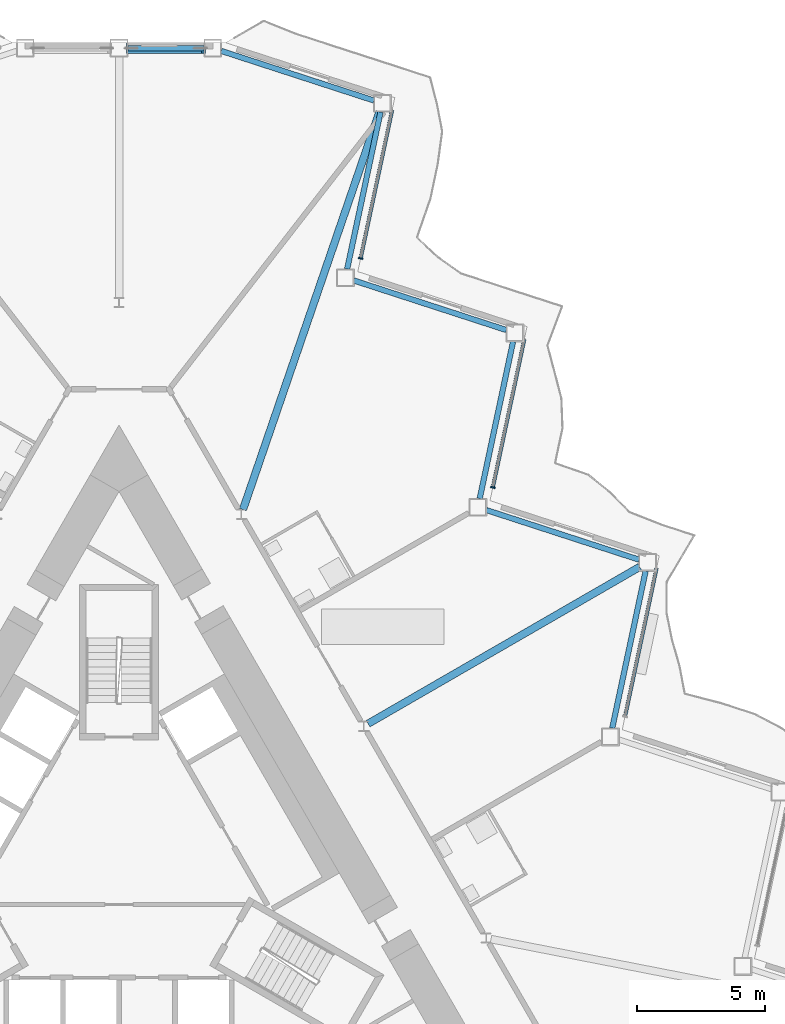
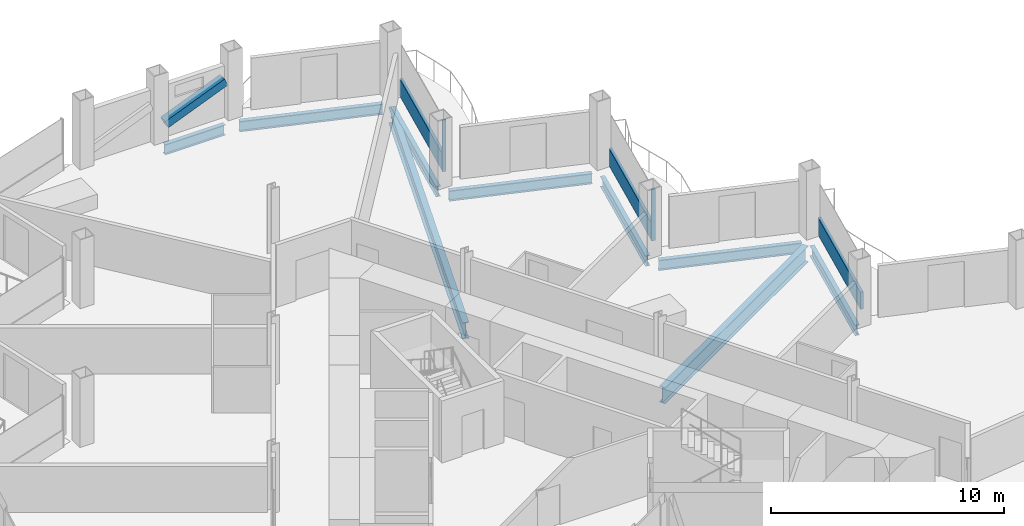
# One storey, part 9 of 23: 9 beams, 6 members, 3 elements without a shape of their own.
"""IFC4 building model written with IfcOpenShell, lengths in metres."""

from ifc_helpers import new_model, si_unit, direction, frame, origin, origin_2d, place, context, subcontext, project, spatial, rectangle, hollow_rectangle, i_section, extrude, material, layer, layer_set, material_profile, profile_set, type_object, element, aggregate, save


model = new_model("IFC4")

# Units and contexts
model_context = context("Model", 3, precision=1e-05, world=origin(), true_north=direction((0.0, 1.0)))
body_context = subcontext(model_context, "Body", "Model", "MODEL_VIEW")
ifc_project = project(units=[si_unit("LENGTHUNIT", "METRE"), si_unit("AREAUNIT", "SQUARE_METRE"), si_unit("VOLUMEUNIT", "CUBIC_METRE"), si_unit("PLANEANGLEUNIT", "RADIAN"), si_unit("MASSUNIT", "GRAM", prefix="KILO")], contexts=[model_context])

# Site, building, storey
site_placement = place(None, origin())
site = spatial("IfcSite", under=ifc_project, at=site_placement, CompositionType="ELEMENT")
building_placement = place(site_placement, origin())
building = spatial("IfcBuilding", under=site, at=building_placement, Name="Cormorant Prow Tower", CompositionType="ELEMENT")
storey_placement = place(building_placement, frame((0.0, 0.0, 249.0)))
storey = spatial("IfcBuildingStorey", under=building, at=storey_placement, Name="L55", CompositionType="ELEMENT", Elevation=249.0)

# Member
ifc_material_1 = material(Name="Structural steel ASTM A500 Gr C", Category="steel")
ifc_material_profile_1 = material_profile(ifc_material_1, hollow_rectangle(XDim=0.406494140625, YDim=0.406494140625, WallThickness=0.01171875, at=origin_2d()), Name="HSS16x16x1/2")
ifc_profile_set_1 = profile_set([ifc_material_profile_1], Name="Structural steel ASTM A500 Gr C")
member_type_1 = type_object("IfcMemberType", Name="Chamfer brace HSS16x16x1/2", PredefinedType="BRACE", material=ifc_profile_set_1)
member_1_placement = place(storey_placement, frame((0.36572265625, 32.073486328125, 0.74951171875), z_axis=(0.925591042089, 0.0, 0.37852506232), x_axis=(0.0, 1.0, 0.0)))
element("IfcMember", 1, at=member_1_placement, inside=storey, type_object=member_type_1, Name="Chamfer brace BR2 at N00 L55", PredefinedType="BRACE", context=body_context, shape_type="SweptSolid", body=[
    extrude(hollow_rectangle(XDim=0.406494140625, YDim=0.406494140625, WallThickness=0.01171875, at=origin_2d()), origin(), (0.0, 0.0, 1.0), 3.17529296875),
])

# Curtain wall, member
ifc_material_2 = material(Name="Aluminium 6063-T6", Category="aluminium")
ifc_layer = layer(ifc_material_2, 0.179931640625)
ifc_layer_set = layer_set([ifc_layer], Name="Aluminium 6063-T6")
curtain_wall_type = type_object("IfcCurtainWallType", Name="Hotel unitised curtain wall 180", PredefinedType="NOTDEFINED", material=ifc_layer_set)
curtain_wall_1_placement = place(storey_placement, origin())
curtain_wall_1 = element("IfcCurtainWall", 2, at=curtain_wall_1_placement, inside=storey, type_object=curtain_wall_type, Name="Hotel curtain wall ENE06", PredefinedType="NOTDEFINED")
ifc_material_3 = material(Name="Aluminium 6063-T6", Category="aluminium")
ifc_material_profile_2 = material_profile(ifc_material_3, rectangle(XDim=0.179931640625, YDim=0.06005859375, at=origin_2d()), Name="Hotel mullion 60x180")
ifc_profile_set_2 = profile_set([ifc_material_profile_2], Name="Aluminium 6063-T6")
member_type_2 = type_object("IfcMemberType", Name="Hotel mullion 60x180", PredefinedType="MULLION", material=ifc_profile_set_2)
member_2_placement = place(storey_placement, frame((14.633544921875, 14.880859375, 0.0), z_axis=(0.0, 0.0, 1.0), x_axis=(-0.978147570318, 0.207911833914, 0.0)))
member_2 = element("IfcMember", 3, at=member_2_placement, type_object=member_type_2, Name="Hotel mullion ENE06", PredefinedType="MULLION", context=body_context, shape_type="SweptSolid", body=[
    extrude(rectangle(XDim=0.179931640625, YDim=0.06005859375, at=origin_2d()), origin(), (0.0, 0.0, 1.0), 2.700927734375),
])

curtain_wall_2_placement = place(storey_placement, origin())
curtain_wall_2 = element("IfcCurtainWall", 4, at=curtain_wall_2_placement, inside=storey, type_object=curtain_wall_type, Name="Hotel curtain wall ENE08", PredefinedType="NOTDEFINED")
member_3_placement = place(storey_placement, frame((9.4580078125, 23.845458984375, 0.0), z_axis=(0.0, 0.0, 1.0), x_axis=(-0.978147605727, 0.207911667327, 0.0)))
member_3 = element("IfcMember", 5, at=member_3_placement, type_object=member_type_2, Name="Hotel mullion ENE08", PredefinedType="MULLION", context=body_context, shape_type="SweptSolid", body=[
    extrude(rectangle(XDim=0.179931640625, YDim=0.06005859375, at=origin_2d()), origin(), (0.0, 0.0, 1.0), 2.700927734375),
])

curtain_wall_3_placement = place(storey_placement, origin())
curtain_wall_3 = element("IfcCurtainWall", 6, at=curtain_wall_3_placement, inside=storey, type_object=curtain_wall_type, Name="Hotel curtain wall ENE04", PredefinedType="NOTDEFINED")
ifc_material_4 = material(Name="Terracotta", Category="masonry")
ifc_material_profile_3 = material_profile(ifc_material_4, rectangle(XDim=0.139892578125, YDim=0.89990234375, at=origin_2d()), Name="Hotel terracotta spandrel rail 140x900")
ifc_profile_set_3 = profile_set([ifc_material_profile_3], Name="Terracotta")
member_type_3 = type_object("IfcMemberType", Name="Hotel terracotta spandrel rail 140x900", PredefinedType="USERDEFINED", material=ifc_profile_set_3)
member_4_placement = place(storey_placement, frame((19.815673828125, 5.945556640625, 0.449951171875), z_axis=(0.20788200566, 0.978153910038, 0.0), x_axis=(-0.978153910038, 0.20788200566, 0.0)))
member_4 = element("IfcMember", 7, at=member_4_placement, type_object=member_type_3, Name="Hotel spandrel rail ENE04", ObjectType="TRANSOM", PredefinedType="USERDEFINED", context=body_context, shape_type="SweptSolid", body=[
    extrude(rectangle(XDim=0.139892578125, YDim=0.89990234375, at=origin_2d()), origin(), (0.0, 0.0, 1.0), 5.902587890625),
])
aggregate(curtain_wall_3, [member_4])

# Member
member_5_placement = place(storey_placement, frame((14.639892578125, 14.91015625, 0.449951171875), z_axis=(0.207921579045, 0.978145498874, 0.0), x_axis=(-0.978145498874, 0.207921579045, 0.0)))
member_5 = element("IfcMember", 8, at=member_5_placement, type_object=member_type_3, Name="Hotel spandrel rail ENE06", ObjectType="TRANSOM", PredefinedType="USERDEFINED", context=body_context, shape_type="SweptSolid", body=[
    extrude(rectangle(XDim=0.139892578125, YDim=0.89990234375, at=origin_2d()), origin(), (0.0, 0.0, 1.0), 5.902587890625),
])

aggregate(curtain_wall_1, [member_2, member_5])

member_6_placement = place(storey_placement, frame((9.464111328125, 23.874755859375, 0.449951171875), z_axis=(0.207921579045, 0.978145498874, 0.0), x_axis=(-0.978145498874, 0.207921579045, 0.0)))
member_6 = element("IfcMember", 9, at=member_6_placement, type_object=member_type_3, Name="Hotel spandrel rail ENE08", ObjectType="TRANSOM", PredefinedType="USERDEFINED", context=body_context, shape_type="SweptSolid", body=[
    extrude(rectangle(XDim=0.139892578125, YDim=0.89990234375, at=origin_2d()), origin(), (0.0, 0.0, 1.0), 5.902587890625),
])

aggregate(curtain_wall_2, [member_3, member_6])

# Beams
ifc_material_5 = material(Name="Structural steel ASTM A992 Gr 50", Category="steel")
ifc_material_profile_4 = material_profile(ifc_material_5, i_section(OverallWidth=0.29296875, OverallDepth=0.845703125, WebThickness=0.015380859375, FlangeThickness=0.0244140625, at=origin_2d()), Name="W33x141")
ifc_profile_set_4 = profile_set([ifc_material_profile_4], Name="Structural steel ASTM A992 Gr 50")
beam_type_1 = type_object("IfcBeamType", Name="Radial floor beam W33x141", PredefinedType="BEAM", material=ifc_profile_set_4)
beam_1_placement = place(storey_placement, frame((9.751220703125, 5.6298828125, -0.77294921875), z_axis=(0.866021995826, 0.500005902711, 0.0), x_axis=(-0.500005902711, 0.866021995826, 0.0)))
element("IfcBeam", 10, at=beam_1_placement, inside=storey, type_object=beam_type_1, Name="Radial floor beam FB2 11 L55", PredefinedType="BEAM", context=body_context, shape_type="SweptSolid", body=[
    extrude(i_section(OverallWidth=0.29296875, OverallDepth=0.845703125, WebThickness=0.015380859375, FlangeThickness=0.0244140625, at=origin_2d()), origin(), (0.0, 0.0, 1.0), 12.277099609375),
])
beam_2_placement = place(storey_placement, frame((4.85400390625, 14.013916015625, -0.77294921875), z_axis=(0.324535507117, 0.945873514071, 0.0), x_axis=(-0.945873514071, 0.324535507117, 0.0)))
element("IfcBeam", 11, at=beam_2_placement, inside=storey, type_object=beam_type_1, Name="Radial floor beam FB2 12 L55", PredefinedType="BEAM", context=body_context, shape_type="SweptSolid", body=[
    extrude(i_section(OverallWidth=0.29296875, OverallDepth=0.845703125, WebThickness=0.015380859375, FlangeThickness=0.0244140625, at=origin_2d()), origin(), (0.0, 0.0, 1.0), 16.462158203125),
])
ifc_material_6 = material(Name="Structural steel ASTM A992 Gr 50", Category="steel")
ifc_material_profile_5 = material_profile(ifc_material_6, i_section(OverallWidth=0.2138671875, OverallDepth=0.549072265625, WebThickness=0.0146484375, FlangeThickness=0.023681640625, at=origin_2d()), Name="W21x93")
ifc_profile_set_5 = profile_set([ifc_material_profile_5], Name="Structural steel ASTM A992 Gr 50")
beam_type_2 = type_object("IfcBeamType", Name="Spandrel beam W21x93", PredefinedType="SPANDREL", material=ifc_profile_set_5)
beam_3_placement = place(storey_placement, frame((19.307861328125, 5.456787109375, -0.62451171875), z_axis=(0.207933593793, 0.978142944856, 0.0), x_axis=(-0.978142944856, 0.207933593793, 0.0)))
element("IfcBeam", 12, at=beam_3_placement, inside=storey, type_object=beam_type_2, Name="Spandrel beam SB2 ENE04-ENE05 L55", PredefinedType="SPANDREL", context=body_context, shape_type="SweptSolid", body=[
    extrude(i_section(OverallWidth=0.2138671875, OverallDepth=0.549072265625, WebThickness=0.0146484375, FlangeThickness=0.023681640625, at=origin_2d()), origin(), (0.0, 0.0, 1.0), 6.281494140625),
])
beam_4_placement = place(storey_placement, frame((20.353759765625, 12.051513671875, -0.62451171875), z_axis=(-0.951050348284, 0.309035976918, 0.0), x_axis=(-0.309035976918, -0.951050348284, 0.0)))
element("IfcBeam", 13, at=beam_4_placement, inside=storey, type_object=beam_type_2, Name="Spandrel beam SB2 ENE05-ENE06 L55", PredefinedType="SPANDREL", context=body_context, shape_type="SweptSolid", body=[
    extrude(i_section(OverallWidth=0.2138671875, OverallDepth=0.549072265625, WebThickness=0.0146484375, FlangeThickness=0.023681640625, at=origin_2d()), origin(), (0.0, 0.0, 1.0), 6.28125),
])
beam_5_placement = place(storey_placement, frame((14.11962890625, 14.443115234375, -0.62451171875), z_axis=(0.207933593793, 0.978142944856, 0.0), x_axis=(-0.978142944856, 0.207933593793, 0.0)))
element("IfcBeam", 14, at=beam_5_placement, inside=storey, type_object=beam_type_2, Name="Spandrel beam SB2 ENE06-ENE07 L55", PredefinedType="SPANDREL", context=body_context, shape_type="SweptSolid", body=[
    extrude(i_section(OverallWidth=0.2138671875, OverallDepth=0.549072265625, WebThickness=0.0146484375, FlangeThickness=0.023681640625, at=origin_2d()), origin(), (0.0, 0.0, 1.0), 6.281494140625),
])
beam_6_placement = place(storey_placement, frame((15.16552734375, 21.037841796875, -0.62451171875), z_axis=(-0.951050348284, 0.309035976918, 0.0), x_axis=(-0.309035976918, -0.951050348284, 0.0)))
element("IfcBeam", 15, at=beam_6_placement, inside=storey, type_object=beam_type_2, Name="Spandrel beam SB2 ENE07-ENE08 L55", PredefinedType="SPANDREL", context=body_context, shape_type="SweptSolid", body=[
    extrude(i_section(OverallWidth=0.2138671875, OverallDepth=0.549072265625, WebThickness=0.0146484375, FlangeThickness=0.023681640625, at=origin_2d()), origin(), (0.0, 0.0, 1.0), 6.28125),
])
for number, where, z_axis, x_axis, name in (
    (16, (8.931396484375, 23.429443359375, -0.62451171875), (0.207896407679, 0.97815084914, 0.0), (-0.97815084914, 0.207896407679, 0.0), "Spandrel beam SB2 ENE08-ENE09 L55"),
    (17, (9.977294921875, 30.024169921875, -0.62451171875), (-0.951054060056, 0.309024553801, 0.0), (-0.309024553801, -0.951054060056, 0.0), "Spandrel beam SB2 ENE09-N00 L55"),
):
    element("IfcBeam", number, at=place(storey_placement, frame(where, z_axis=z_axis, x_axis=x_axis)), inside=storey, type_object=beam_type_2, Name=name, PredefinedType="SPANDREL", context=body_context, shape_type="SweptSolid", body=[
        extrude(i_section(OverallWidth=0.2138671875, OverallDepth=0.549072265625, WebThickness=0.0146484375, FlangeThickness=0.023681640625, at=origin_2d()), origin(), (0.0, 0.0, 1.0), 6.281494140625),
    ])
beam_7_placement = place(storey_placement, frame((3.3203125, 32.073486328125, -0.62451171875), z_axis=(-1.0, 0.0, 0.0), x_axis=(0.0, -1.0, 0.0)))
element("IfcBeam", 18, at=beam_7_placement, inside=storey, type_object=beam_type_2, Name="Spandrel beam SB2 N00-N01 L55", PredefinedType="SPANDREL", context=body_context, shape_type="SweptSolid", body=[
    extrude(i_section(OverallWidth=0.2138671875, OverallDepth=0.549072265625, WebThickness=0.0146484375, FlangeThickness=0.023681640625, at=origin_2d()), origin(), (0.0, 0.0, 1.0), 2.97021484375),
])

save(model, "model.ifc")
